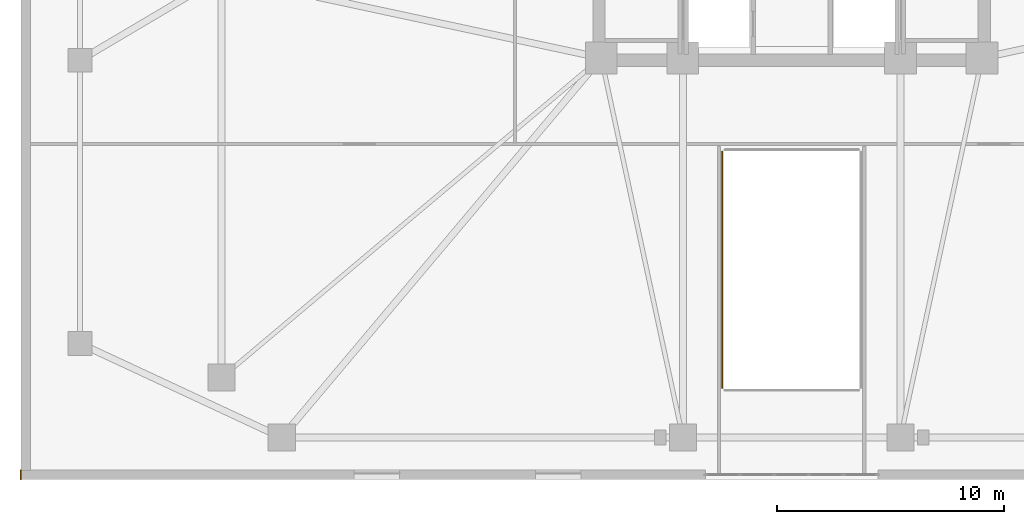
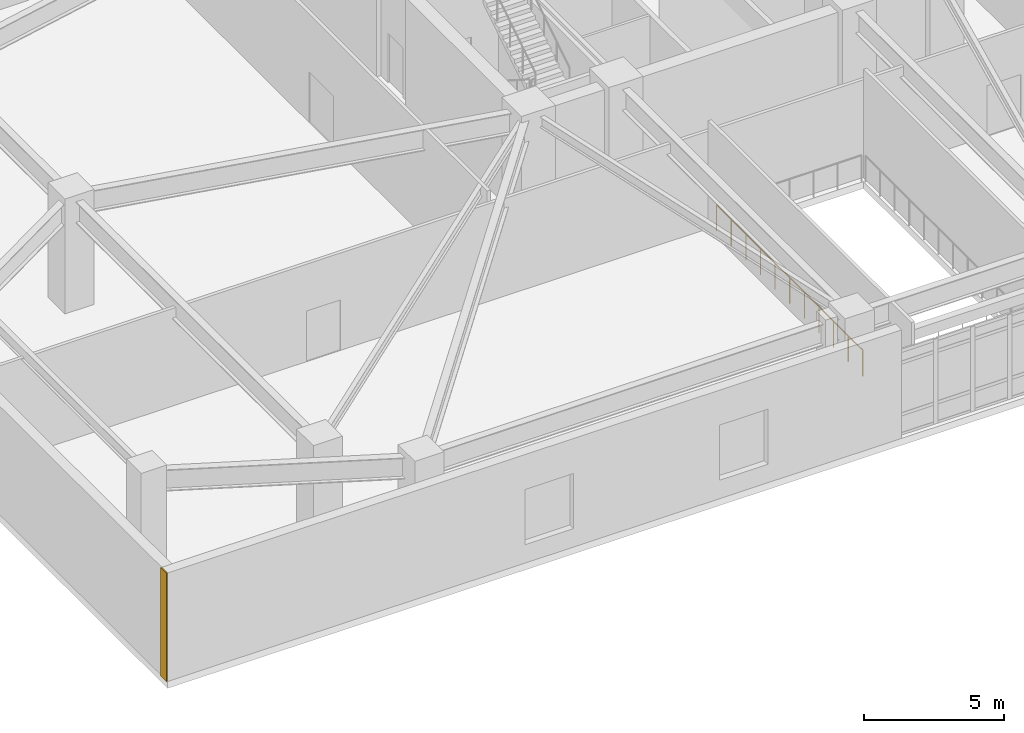
# One storey, part 15 of 20: 1 covering, 1 railing.
"""IFC4 building model written with IfcOpenShell, lengths in metres."""

import ifcopenshell
import ifcopenshell.guid

model = None  # the IFC model being written
_history = None  # IfcOwnerHistory: only IFC2X3 demands one
_inside = {}  # id of a spatial element -> (the spatial element, [elements in it])
_under = {}  # id of a project, library or spatial element -> (it, [spatial elements below it])
_declared = {}  # id of a project -> (the project, [libraries it declares])
_typed = {}  # id of a type object -> (the type object, [elements of that type])
_made_of = {}  # id of a material, layer set ... -> (it, [elements and type objects made of it])


def new_model(schema):
    """Start an empty IFC model of exactly this schema.

    Asked for "IFC4X3", IfcOpenShell would pick the latest addendum, in which some entities
    have other attributes; the version numbers below select the first issue.
    IFC2X3 requires an IfcOwnerHistory on every rooted entity: one is made here for all.
    """
    global model, _history
    if schema == "IFC4X3":
        model = ifcopenshell.file(schema_version=(4, 3, 0, 0))
    else:
        model = ifcopenshell.file(schema=schema)
    _inside.clear()
    _under.clear()
    _declared.clear()
    _typed.clear()
    _made_of.clear()
    _history = None
    if model.schema == "IFC2X3":
        org = make("IfcOrganization", Name="unknown")
        user = make(
            "IfcPersonAndOrganization",
            ThePerson=make("IfcPerson", FamilyName="unknown"),
            TheOrganization=org,
        )
        app = make(
            "IfcApplication",
            ApplicationDeveloper=org,
            Version="unknown",
            ApplicationFullName="unknown",
            ApplicationIdentifier="unknown",
        )
        _history = make(
            "IfcOwnerHistory",
            OwningUser=user,
            OwningApplication=app,
            ChangeAction="ADDED",
            CreationDate=0,
        )
    return model


def make(cls, **values):
    """One entity of the class cls with the attributes given. An attribute that is None is left unset."""
    return model.create_entity(
        cls, **{name: value for name, value in values.items() if value is not None}
    )


def rooted(cls, **values):
    """An entity with a GlobalId (a new one), such as an element, a storey or a relation."""
    return make(cls, GlobalId=ifcopenshell.guid.new(), OwnerHistory=_history, **values)


def si_unit(unit_type, name, prefix=None):
    """IfcSIUnit, for example si_unit("LENGTHUNIT", "METRE", prefix="MILLI")."""
    return make("IfcSIUnit", UnitType=unit_type, Prefix=prefix, Name=name)


def assignment(units):
    """IfcUnitAssignment: the units of a project."""
    return None if units is None else make("IfcUnitAssignment", Units=units)


def point(xyz):
    """IfcCartesianPoint."""
    return None if xyz is None else make("IfcCartesianPoint", Coordinates=xyz)


def direction(xyz):
    """IfcDirection."""
    return None if xyz is None else make("IfcDirection", DirectionRatios=xyz)


def frame(location, z_axis=None, x_axis=None):
    """IfcAxis2Placement3D, a coordinate frame: its origin and axes. An axis left out is left unset."""
    return make(
        "IfcAxis2Placement3D",
        Location=point(location),
        Axis=direction(z_axis),
        RefDirection=direction(x_axis),
    )


def frame_2d(location, x_axis=None):
    """IfcAxis2Placement2D, a coordinate frame in the plane: its origin and x axis."""
    return make(
        "IfcAxis2Placement2D", Location=point(location), RefDirection=direction(x_axis)
    )


def origin():
    """The frame at (0, 0, 0) with its axes left unset."""
    return frame((0.0, 0.0, 0.0))


def origin_2d():
    """The frame at (0, 0) in the plane with its x axis left unset."""
    return frame_2d((0.0, 0.0))


def place(relative_to, where):
    """IfcLocalPlacement: puts the frame where relative to a parent placement (None: the world)."""
    return make(
        "IfcLocalPlacement", PlacementRelTo=relative_to, RelativePlacement=where
    )


def context(
    kind, dimensions, precision=None, world=None, true_north=None, identifier=None
):
    """IfcGeometricRepresentationContext, for example the 3D "Model" context."""
    return make(
        "IfcGeometricRepresentationContext",
        ContextIdentifier=identifier,
        ContextType=kind,
        CoordinateSpaceDimension=dimensions,
        Precision=precision,
        WorldCoordinateSystem=world,
        TrueNorth=true_north,
    )


def subcontext(parent, identifier, kind, view, scale=None):
    """IfcGeometricRepresentationSubContext, for example "Body" below "Model"."""
    return make(
        "IfcGeometricRepresentationSubContext",
        ContextIdentifier=identifier,
        ContextType=kind,
        ParentContext=parent,
        TargetScale=scale,
        TargetView=view,
    )


def project(units=None, contexts=None):
    """IfcProject with its units and contexts."""
    return rooted(
        "IfcProject",
        Name="project",
        RepresentationContexts=contexts,
        UnitsInContext=assignment(units),
    )


def spatial(cls, under=None, at=None, **own):
    """A site, building, storey or space (cls), placed at a placement, below another one or the project."""
    s = rooted(cls, ObjectPlacement=at, **own)
    if under is not None:
        _under.setdefault(under.id(), (under, []))[1].append(s)
    return s


def profile(cls, at=None, kind="AREA", **sizes):
    """A parametric profile (cls). Its sizes go by their IFC names, for example OverallWidth=200.0."""
    return make(cls, ProfileType=kind, Position=at, **sizes)


def rectangle(**sizes):
    """IfcRectangleProfileDef."""
    return profile("IfcRectangleProfileDef", **sizes)


def circle(**sizes):
    """IfcCircleProfileDef."""
    return profile("IfcCircleProfileDef", **sizes)


def extrude(swept, where, along, depth):
    """IfcExtrudedAreaSolid: the profile swept, set in the frame where, extruded along a direction by depth."""
    return make(
        "IfcExtrudedAreaSolid",
        SweptArea=swept,
        Position=where,
        ExtrudedDirection=direction(along),
        Depth=depth,
    )


def shape(context_of_items, identifier, shape_type, items):
    """IfcShapeRepresentation: the items that make up one representation, for example the "Body"."""
    return make(
        "IfcShapeRepresentation",
        ContextOfItems=context_of_items,
        RepresentationIdentifier=identifier,
        RepresentationType=shape_type,
        Items=items,
    )


def material(Name=None, Category=None):
    """IfcMaterial."""
    return make("IfcMaterial", Name=Name, Category=Category)


def layer(
    of_material, thickness, ventilated=None, Name=None, Category=None, Priority=None
):
    """IfcMaterialLayer: one layer of a wall or slab, of a material (None: an air gap)."""
    return make(
        "IfcMaterialLayer",
        Material=of_material,
        LayerThickness=thickness,
        IsVentilated=ventilated,
        Name=Name,
        Category=Category,
        Priority=Priority,
    )


def layer_set(layers, Name=None):
    """IfcMaterialLayerSet."""
    return make("IfcMaterialLayerSet", MaterialLayers=layers, LayerSetName=Name)


def made_of(thing, what):
    """Note that an element or type object is made of a material, layer set ...; save() writes the relation."""
    if what is not None:
        _made_of.setdefault(what.id(), (what, []))[1].append(thing)
    return thing


def type_object(cls, material=None, **own):
    """A type object (cls), such as IfcWallType, which elements share."""
    return made_of(rooted(cls, **own), material)


def element(
    cls,
    number,
    at=None,
    inside=None,
    cuts=None,
    type_object=None,
    material=None,
    context=None,
    identifier="Body",
    shape_type=None,
    held_by="IfcProductDefinitionShape",
    body=None,
    shapes=None,
    **own,
):
    """One element of the class cls, such as IfcWall. Its Tag is "e" and its number.

    at: its placement. inside: the storey or other place that contains it. cuts: it is an
    opening in that element (IfcRelVoidsElement). A single representation is given by context,
    identifier, shape_type and body (its items); several are given by shapes. held_by: the class
    of the entity that holds the representations. save() writes the other relations.
    """
    e = rooted(cls, Tag="e%d" % number, ObjectPlacement=at, **own)
    if body is not None:
        shapes = [shape(context, identifier, shape_type, body)]
    if shapes is not None:
        e.Representation = make(held_by, Representations=shapes)
    if inside is not None:
        _inside.setdefault(inside.id(), (inside, []))[1].append(e)
    if cuts is not None:
        rooted(
            "IfcRelVoidsElement", RelatingBuildingElement=cuts, RelatedOpeningElement=e
        )
    if type_object is not None:
        _typed.setdefault(type_object.id(), (type_object, []))[1].append(e)
    return made_of(e, material)


def aggregate(whole, parts):
    """IfcRelAggregates: a whole, such as a stair, and the parts it consists of."""
    return rooted("IfcRelAggregates", RelatingObject=whole, RelatedObjects=parts)


def save(model, path):
    """Write the relations noted so far, then the file.

    IfcRelAggregates (storeys below a building ...), IfcRelContainedInSpatialStructure (elements
    in a storey), IfcRelDefinesByType, IfcRelAssociatesMaterial and IfcRelDeclares: one each for
    every whole, place, type object, material and project.
    """
    for whole, parts in _under.values():
        aggregate(whole, parts)
    for where, things in _inside.values():
        rooted(
            "IfcRelContainedInSpatialStructure",
            RelatedElements=things,
            RelatingStructure=where,
        )
    for kind, things in _typed.values():
        rooted("IfcRelDefinesByType", RelatedObjects=things, RelatingType=kind)
    for what, things in _made_of.values():
        rooted("IfcRelAssociatesMaterial", RelatedObjects=things, RelatingMaterial=what)
    for by, libraries in _declared.values():
        rooted("IfcRelDeclares", RelatingContext=by, RelatedDefinitions=libraries)
    model.write(path)


model = new_model("IFC4")

# Units and contexts
model_context = context("Model", 3, precision=1e-05, world=origin(), true_north=direction((0.0, 1.0)))
body_context = subcontext(model_context, "Body", "Model", "MODEL_VIEW")
ifc_project = project(units=[si_unit("LENGTHUNIT", "METRE"), si_unit("AREAUNIT", "SQUARE_METRE"), si_unit("VOLUMEUNIT", "CUBIC_METRE"), si_unit("PLANEANGLEUNIT", "RADIAN"), si_unit("MASSUNIT", "GRAM", prefix="KILO")], contexts=[model_context])

# Site, building, storey
site_placement = place(None, origin())
site = spatial("IfcSite", under=ifc_project, at=site_placement, CompositionType="ELEMENT")
building_placement = place(site_placement, origin())
building = spatial("IfcBuilding", under=site, at=building_placement, Name="Cairnveth Concourse Tower", CompositionType="ELEMENT")
storey_placement = place(building_placement, frame((0.0, 0.0, 5.0)))
storey = spatial("IfcBuildingStorey", under=building, at=storey_placement, Name="L01", CompositionType="ELEMENT", Elevation=5.0)

# Railing
ifc_material_1 = material(Name="Architectural Bronze Anodised Aluminium 6063-T6", Category="aluminium")
railing_type = type_object("IfcRailingType", Name="ATRIUM BRONZE BALUSTRADE 1150", PredefinedType="BALUSTRADE", material=ifc_material_1)
railing_placement = place(storey_placement, frame((48.93994140625, 26.4599609375, 0.0)))
element("IfcRailing", 1, at=railing_placement, inside=storey, type_object=railing_type, Name="Concourse Galleria Mezzanine Balustrade W L01", PredefinedType="BALUSTRADE", context=body_context, shape_type="SweptSolid", body=[
    extrude(circle(Radius=0.02490234375, at=origin_2d()), frame((0.0, 0.0, 1.125), z_axis=(0.0, -1.0, 0.0), x_axis=(1.0, 0.0, 0.0)), (0.0, 0.0, 1.0), 10.419921875),
    extrude(circle(Radius=0.02099609375, at=origin_2d()), origin(), (0.0, 0.0, 1.0), 1.099853515625),
    extrude(circle(Radius=0.02099609375, at=origin_2d()), frame((0.0, -1.0419921875, 0.0)), (0.0, 0.0, 1.0), 1.099853515625),
    extrude(circle(Radius=0.02099609375, at=origin_2d()), frame((0.0, -2.083984375, 0.0)), (0.0, 0.0, 1.0), 1.099853515625),
    extrude(circle(Radius=0.02099609375, at=origin_2d()), frame((0.0, -3.1259765625, 0.0)), (0.0, 0.0, 1.0), 1.099853515625),
    extrude(circle(Radius=0.02099609375, at=origin_2d()), frame((0.0, -4.16796875, 0.0)), (0.0, 0.0, 1.0), 1.099853515625),
    extrude(circle(Radius=0.02099609375, at=origin_2d()), frame((0.0, -5.2099609375, 0.0)), (0.0, 0.0, 1.0), 1.099853515625),
    extrude(circle(Radius=0.02099609375, at=origin_2d()), frame((0.0, -6.251953125, 0.0)), (0.0, 0.0, 1.0), 1.099853515625),
    extrude(circle(Radius=0.02099609375, at=origin_2d()), frame((0.0, -7.2939453125, 0.0)), (0.0, 0.0, 1.0), 1.099853515625),
    extrude(circle(Radius=0.02099609375, at=origin_2d()), frame((0.0, -8.3359375, 0.0)), (0.0, 0.0, 1.0), 1.099853515625),
    extrude(circle(Radius=0.02099609375, at=origin_2d()), frame((0.0, -9.3779296875, 0.0)), (0.0, 0.0, 1.0), 1.099853515625),
    extrude(circle(Radius=0.02099609375, at=origin_2d()), frame((0.0, -10.419921875, 0.0)), (0.0, 0.0, 1.0), 1.099853515625),
])

# Covering
ifc_material_2 = material(Name="Dressed Melbourne Bluestone Cladding", Category="masonry")
ifc_layer = layer(ifc_material_2, 0.050048828125)
ifc_layer_set = layer_set([ifc_layer], Name="Dressed Melbourne Bluestone Cladding")
covering_type = type_object("IfcCoveringType", Name="DRESSED BLUESTONE PLINTH CLADDING 50", PredefinedType="CLADDING", material=ifc_layer_set)
covering_placement = place(storey_placement, frame((17.97998046875, 12.419921875, 0.0), z_axis=(0.0, 0.0, 1.0), x_axis=(0.0, -1.0, 0.0)))
element("IfcCovering", 2, at=covering_placement, inside=storey, type_object=covering_type, Name="Melbourne Bluestone Corner Quoin L01-10", PredefinedType="CLADDING", context=body_context, shape_type="SweptSolid", body=[
    extrude(rectangle(XDim=0.419921875, YDim=0.050048828125, at=frame_2d((0.2099609375, 0.0))), origin(), (0.0, 0.0, 1.0), 4.719970703125),
])

save(model, "model.ifc")
